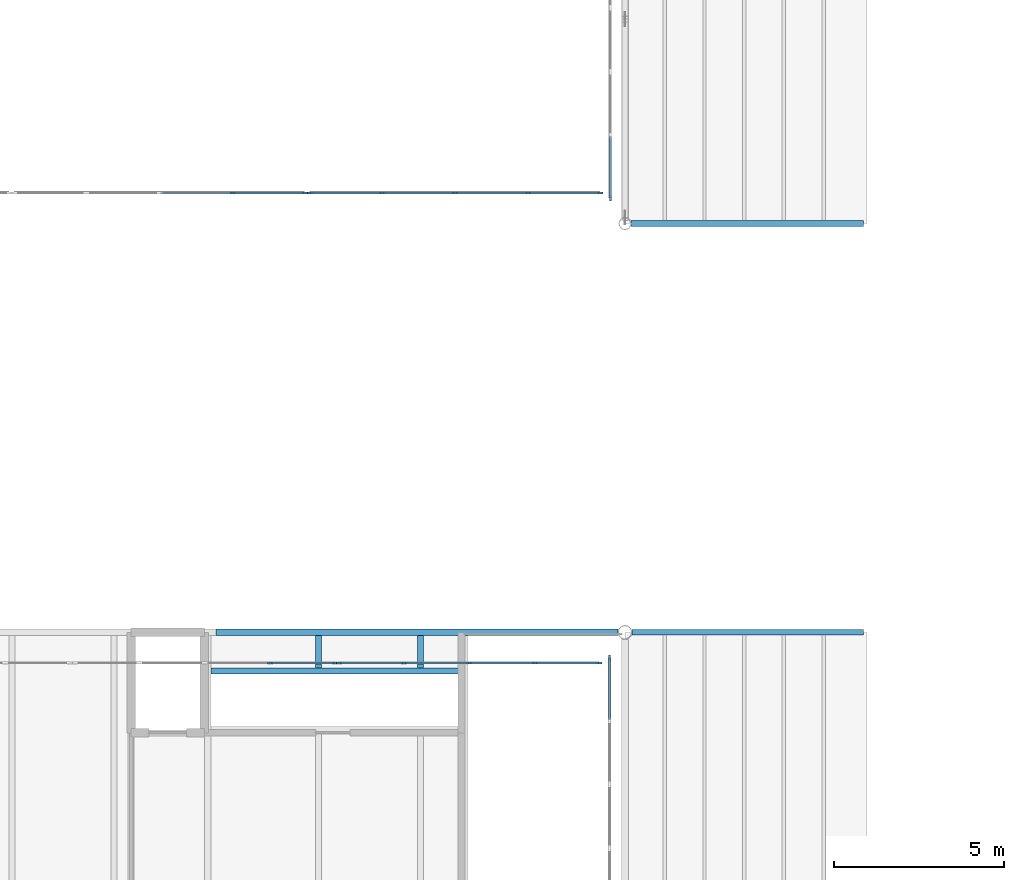
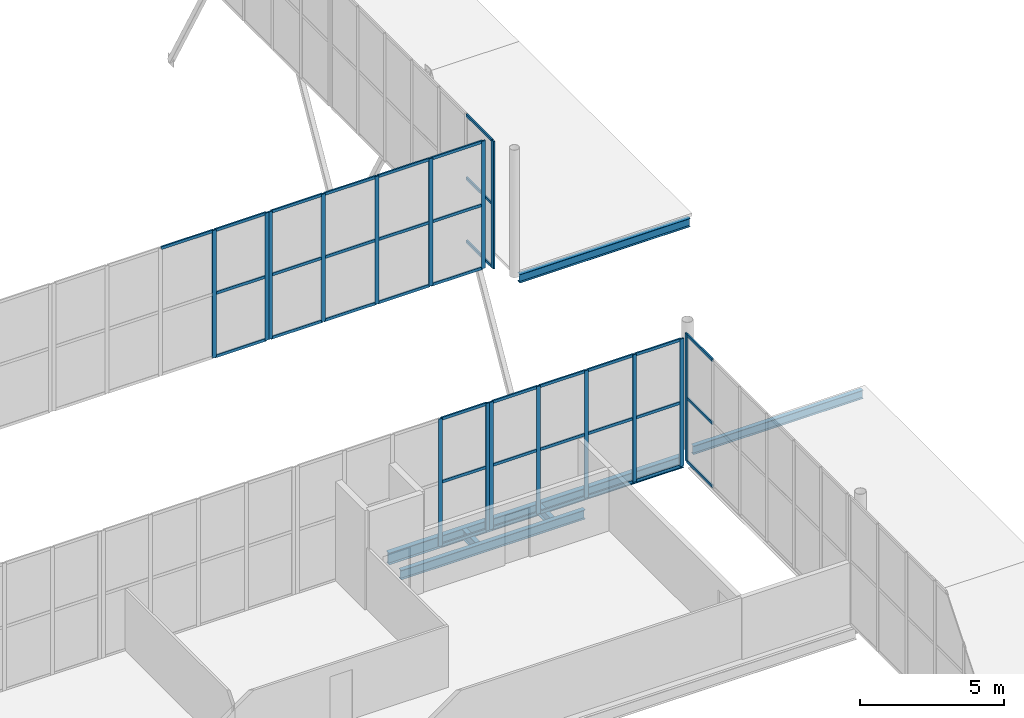
# One storey, part 60 of 170: 53 members, 6 beams, 6 elements without a shape of their own.
"""IFC4 building model written with IfcOpenShell, lengths in metres."""

from ifc_helpers import new_model, si_unit, direction, frame, origin, origin_2d, place, context, subcontext, project, spatial, rectangle, i_section, extrude, material, layer, layer_set, material_profile, profile_set, type_object, element, aggregate, save


model = new_model("IFC4")

# Units and contexts
model_context = context("Model", 3, precision=1e-05, world=origin(), true_north=direction((0.0, 1.0)))
body_context = subcontext(model_context, "Body", "Model", "MODEL_VIEW")
ifc_project = project(units=[si_unit("LENGTHUNIT", "METRE"), si_unit("AREAUNIT", "SQUARE_METRE"), si_unit("VOLUMEUNIT", "CUBIC_METRE"), si_unit("PLANEANGLEUNIT", "RADIAN"), si_unit("MASSUNIT", "GRAM", prefix="KILO")], contexts=[model_context])

# Site, building, storey
site_placement = place(None, origin())
site = spatial("IfcSite", under=ifc_project, at=site_placement, CompositionType="ELEMENT")
building_placement = place(site_placement, origin())
building = spatial("IfcBuilding", under=site, at=building_placement, Name="Ravi Spectrum Wholesale Market", CompositionType="ELEMENT")
storey_placement = place(building_placement, frame((0.0, 0.0, 5.39990234375)))
storey = spatial("IfcBuildingStorey", under=building, at=storey_placement, Name="L01", CompositionType="ELEMENT", Elevation=5.39990234375)

# Beams
ifc_material_1 = material(Name="Steel S355", Category="steel")
ifc_material_profile_1 = material_profile(ifc_material_1, i_section(OverallWidth=0.169921875, OverallDepth=0.360107421875, WebThickness=0.008056640625, FlangeThickness=0.0126953125, at=origin_2d()))
ifc_profile_set_1 = profile_set([ifc_material_profile_1], Name="Steel S355")
beam_type_1 = type_object("IfcBeamType", Name="IPE 360 beam", PredefinedType="BEAM", material=ifc_profile_set_1)
beam_1_placement = place(storey_placement, frame((198.203125, 126.0, -0.179931640625), z_axis=(1.0, 0.0, 0.0), x_axis=(0.0, 1.0, 0.0)))
element("IfcBeam", 1, at=beam_1_placement, inside=storey, type_object=beam_type_1, Name="H2-BM-L01-042", PredefinedType="BEAM", context=body_context, shape_type="SweptSolid", body=[
    extrude(i_section(OverallWidth=0.169921875, OverallDepth=0.360107421875, WebThickness=0.008056640625, FlangeThickness=0.0126953125, at=origin_2d()), origin(), (0.0, 0.0, 1.0), 6.796875),
])
beam_2_placement = place(storey_placement, frame((198.177734375, 138.0, -0.179931640625), z_axis=(1.0, 0.0, 0.0), x_axis=(0.0, 1.0, 0.0)))
element("IfcBeam", 2, at=beam_2_placement, inside=storey, type_object=beam_type_1, Name="H3-BM-L01-030", PredefinedType="BEAM", context=body_context, shape_type="SweptSolid", body=[
    extrude(i_section(OverallWidth=0.169921875, OverallDepth=0.360107421875, WebThickness=0.008056640625, FlangeThickness=0.0126953125, at=origin_2d()), origin(), (0.0, 0.0, 1.0), 6.822265625),
])
ifc_material_2 = material(Name="Steel S355", Category="steel")
ifc_material_profile_2 = material_profile(ifc_material_2, i_section(OverallWidth=0.179931640625, OverallDepth=0.39990234375, WebThickness=0.008544921875, FlangeThickness=0.013427734375, at=origin_2d()))
ifc_profile_set_2 = profile_set([ifc_material_profile_2], Name="Steel S355")
beam_type_2 = type_object("IfcBeamType", Name="IPE 400 beam", PredefinedType="BEAM", material=ifc_profile_set_2)
for number, where, z_axis, x_axis, name in (
    (3, (189.0, 124.9599609375, -0.449951171875), (0.0, 1.0, 0.0), (-1.0, 0.0, 0.0), "H2-BM-L01-024"),
    (4, (192.0, 124.9599609375, -0.449951171875), (0.0, 1.0, 0.0), (-1.0, 0.0, 0.0), "H2-BM-L01-026"),
):
    element("IfcBeam", number, at=place(storey_placement, frame(where, z_axis=z_axis, x_axis=x_axis)), inside=storey, type_object=beam_type_2, Name=name, PredefinedType="BEAM", context=body_context, shape_type="SweptSolid", body=[
        extrude(i_section(OverallWidth=0.179931640625, OverallDepth=0.39990234375, WebThickness=0.008544921875, FlangeThickness=0.013427734375, at=origin_2d()), origin(), (0.0, 0.0, 1.0), 0.93994140625),
    ])
beam_3_placement = place(storey_placement, frame((185.840087890625, 124.8701171875, -0.449951171875), z_axis=(1.0, 0.0, 0.0), x_axis=(0.0, 1.0, 0.0)))
element("IfcBeam", 5, at=beam_3_placement, inside=storey, type_object=beam_type_2, Name="H2-BM-L01-032", PredefinedType="BEAM", context=body_context, shape_type="SweptSolid", body=[
    extrude(i_section(OverallWidth=0.179931640625, OverallDepth=0.39990234375, WebThickness=0.008544921875, FlangeThickness=0.013427734375, at=origin_2d()), origin(), (0.0, 0.0, 1.0), 7.369873046875),
])
ifc_material_3 = material(Name="Steel S355", Category="steel")
ifc_material_profile_3 = material_profile(ifc_material_3, i_section(OverallWidth=0.199951171875, OverallDepth=0.5, WebThickness=0.01025390625, FlangeThickness=0.01611328125, at=origin_2d()))
ifc_profile_set_3 = profile_set([ifc_material_profile_3], Name="Steel S355")
beam_type_3 = type_object("IfcBeamType", Name="IPE 500 girder", PredefinedType="BEAM", material=ifc_profile_set_3)
beam_4_placement = place(storey_placement, frame((186.0, 126.0, -0.5), z_axis=(1.0, 0.0, 0.0), x_axis=(0.0, 1.0, 0.0)))
element("IfcBeam", 6, at=beam_4_placement, inside=storey, type_object=beam_type_3, Name="H2-BM-L01-008", PredefinedType="BEAM", context=body_context, shape_type="SweptSolid", body=[
    extrude(i_section(OverallWidth=0.199951171875, OverallDepth=0.5, WebThickness=0.01025390625, FlangeThickness=0.01611328125, at=origin_2d()), origin(), (0.0, 0.0, 1.0), 11.796875),
])

# Curtain wall, member
ifc_material_4 = material(Name="Aluminium 6063-T6", Category="aluminium")
ifc_layer = layer(ifc_material_4, 0.14990234375)
ifc_layer_set = layer_set([ifc_layer], Name="Aluminium 6063-T6")
curtain_wall_type = type_object("IfcCurtainWallType", Name="Curtain wall 150", PredefinedType="NOTDEFINED", material=ifc_layer_set)
curtain_wall_1_placement = place(storey_placement, origin())
curtain_wall_1 = element("IfcCurtainWall", 7, at=curtain_wall_1_placement, inside=storey, type_object=curtain_wall_type, Name="H2-CW-L01-008", PredefinedType="NOTDEFINED")
ifc_material_5 = material(Name="Aluminium 6063-T6", Category="aluminium")
ifc_material_profile_4 = material_profile(ifc_material_5, rectangle(XDim=0.06005859375, YDim=0.159912109375, at=origin_2d()))
ifc_profile_set_4 = profile_set([ifc_material_profile_4], Name="Aluminium 6063-T6")
member_type_1 = type_object("IfcMemberType", Name="Mullion 60 x 160", PredefinedType="MULLION", material=ifc_profile_set_4)
member_1_placement = place(storey_placement, frame((197.546875, 125.260009765625, 0.0), z_axis=(0.0, 0.0, 1.0), x_axis=(-1.0, 0.0, 0.0)))
member_1 = element("IfcMember", 8, at=member_1_placement, type_object=member_type_1, Name="H2-CW-L01-008 mullion 7", PredefinedType="MULLION", context=body_context, shape_type="SweptSolid", body=[
    extrude(rectangle(XDim=0.06005859375, YDim=0.159912109375, at=origin_2d()), origin(), (0.0, 0.0, 1.0), 5.400146484375),
])

# Curtain wall, members
curtain_wall_2_placement = place(storey_placement, origin())
curtain_wall_2 = element("IfcCurtainWall", 9, at=curtain_wall_2_placement, inside=storey, type_object=curtain_wall_type, Name="H2-CW-L01-019", PredefinedType="NOTDEFINED")
member_2_placement = place(storey_placement, frame((187.58154296875, 125.10009765625, 0.0), z_axis=(0.0, 0.0, 1.0), x_axis=(0.0, 1.0, 0.0)))
member_2 = element("IfcMember", 10, at=member_2_placement, type_object=member_type_1, Name="H2-CW-L01-019 mullion 4", PredefinedType="MULLION", context=body_context, shape_type="SweptSolid", body=[
    extrude(rectangle(XDim=0.06005859375, YDim=0.159912109375, at=origin_2d()), origin(), (0.0, 0.0, 1.0), 5.400146484375),
])
member_3_placement = place(storey_placement, frame((189.474609375, 125.10009765625, 0.0), z_axis=(0.0, 0.0, 1.0), x_axis=(0.0, 1.0, 0.0)))
member_3 = element("IfcMember", 11, at=member_3_placement, type_object=member_type_1, Name="H2-CW-L01-019 mullion 5", PredefinedType="MULLION", context=body_context, shape_type="SweptSolid", body=[
    extrude(rectangle(XDim=0.06005859375, YDim=0.159912109375, at=origin_2d()), origin(), (0.0, 0.0, 1.0), 5.400146484375),
])

curtain_wall_3_placement = place(storey_placement, origin())
curtain_wall_3 = element("IfcCurtainWall", 12, at=curtain_wall_3_placement, inside=storey, type_object=curtain_wall_type, Name="H2-CW-L01-020", PredefinedType="NOTDEFINED")
member_4_placement = place(storey_placement, frame((189.614501953125, 125.10009765625, 0.0), z_axis=(0.0, 0.0, 1.0), x_axis=(0.0, 1.0, 0.0)))
member_4 = element("IfcMember", 13, at=member_4_placement, type_object=member_type_1, Name="H2-CW-L01-020 mullion 1", PredefinedType="MULLION", context=body_context, shape_type="SweptSolid", body=[
    extrude(rectangle(XDim=0.06005859375, YDim=0.159912109375, at=origin_2d()), origin(), (0.0, 0.0, 1.0), 5.400146484375),
])
member_5_placement = place(storey_placement, frame((191.507568359375, 125.10009765625, 0.0), z_axis=(0.0, 0.0, 1.0), x_axis=(0.0, 1.0, 0.0)))
member_5 = element("IfcMember", 14, at=member_5_placement, type_object=member_type_1, Name="H2-CW-L01-020 mullion 2", PredefinedType="MULLION", context=body_context, shape_type="SweptSolid", body=[
    extrude(rectangle(XDim=0.06005859375, YDim=0.159912109375, at=origin_2d()), origin(), (0.0, 0.0, 1.0), 5.400146484375),
])
member_6_placement = place(storey_placement, frame((193.4306640625, 125.10009765625, 0.0), z_axis=(0.0, 0.0, 1.0), x_axis=(0.0, 1.0, 0.0)))
member_6 = element("IfcMember", 15, at=member_6_placement, type_object=member_type_1, Name="H2-CW-L01-020 mullion 3", PredefinedType="MULLION", context=body_context, shape_type="SweptSolid", body=[
    extrude(rectangle(XDim=0.06005859375, YDim=0.159912109375, at=origin_2d()), origin(), (0.0, 0.0, 1.0), 5.400146484375),
])
member_7_placement = place(storey_placement, frame((195.353759765625, 125.10009765625, 0.0), z_axis=(0.0, 0.0, 1.0), x_axis=(0.0, 1.0, 0.0)))
member_7 = element("IfcMember", 16, at=member_7_placement, type_object=member_type_1, Name="H2-CW-L01-020 mullion 4", PredefinedType="MULLION", context=body_context, shape_type="SweptSolid", body=[
    extrude(rectangle(XDim=0.06005859375, YDim=0.159912109375, at=origin_2d()), origin(), (0.0, 0.0, 1.0), 5.400146484375),
])
member_8_placement = place(storey_placement, frame((197.246826171875, 125.10009765625, 0.0), z_axis=(0.0, 0.0, 1.0), x_axis=(0.0, 1.0, 0.0)))
member_8 = element("IfcMember", 17, at=member_8_placement, type_object=member_type_1, Name="H2-CW-L01-020 mullion 5", PredefinedType="MULLION", context=body_context, shape_type="SweptSolid", body=[
    extrude(rectangle(XDim=0.06005859375, YDim=0.159912109375, at=origin_2d()), origin(), (0.0, 0.0, 1.0), 5.400146484375),
])

# Curtain wall, member
curtain_wall_4_placement = place(storey_placement, origin())
curtain_wall_4 = element("IfcCurtainWall", 18, at=curtain_wall_4_placement, inside=storey, type_object=curtain_wall_type, Name="H3-CW-L01-005", PredefinedType="NOTDEFINED")
member_9_placement = place(storey_placement, frame((197.572265625, 138.739990234375, 0.0), z_axis=(0.0, 0.0, 1.0), x_axis=(-1.0, 0.0, 0.0)))
member_9 = element("IfcMember", 19, at=member_9_placement, type_object=member_type_1, Name="H3-CW-L01-005 mullion 1", PredefinedType="MULLION", context=body_context, shape_type="SweptSolid", body=[
    extrude(rectangle(XDim=0.06005859375, YDim=0.159912109375, at=origin_2d()), origin(), (0.0, 0.0, 1.0), 5.400146484375),
])

# Curtain wall, members
curtain_wall_5_placement = place(storey_placement, origin())
curtain_wall_5 = element("IfcCurtainWall", 20, at=curtain_wall_5_placement, inside=storey, type_object=curtain_wall_type, Name="H3-CW-L01-011", PredefinedType="NOTDEFINED")
member_10_placement = place(storey_placement, frame((186.4833984375, 138.89990234375, 0.0), z_axis=(0.0, 0.0, 1.0), x_axis=(0.0, 1.0, 0.0)))
member_10 = element("IfcMember", 21, at=member_10_placement, type_object=member_type_1, Name="H3-CW-L01-011 mullion 4", PredefinedType="MULLION", context=body_context, shape_type="SweptSolid", body=[
    extrude(rectangle(XDim=0.06005859375, YDim=0.159912109375, at=origin_2d()), origin(), (0.0, 0.0, 1.0), 5.400146484375),
])
member_11_placement = place(storey_placement, frame((188.60107421875, 138.89990234375, 0.0), z_axis=(0.0, 0.0, 1.0), x_axis=(0.0, 1.0, 0.0)))
member_11 = element("IfcMember", 22, at=member_11_placement, type_object=member_type_1, Name="H3-CW-L01-011 mullion 5", PredefinedType="MULLION", context=body_context, shape_type="SweptSolid", body=[
    extrude(rectangle(XDim=0.06005859375, YDim=0.159912109375, at=origin_2d()), origin(), (0.0, 0.0, 1.0), 5.400146484375),
])

curtain_wall_6_placement = place(storey_placement, origin())
curtain_wall_6 = element("IfcCurtainWall", 23, at=curtain_wall_6_placement, inside=storey, type_object=curtain_wall_type, Name="H3-CW-L01-012", PredefinedType="NOTDEFINED")
member_12_placement = place(storey_placement, frame((188.7412109375, 138.89990234375, 0.0), z_axis=(0.0, 0.0, 1.0), x_axis=(0.0, 1.0, 0.0)))
member_12 = element("IfcMember", 24, at=member_12_placement, type_object=member_type_1, Name="H3-CW-L01-012 mullion 1", PredefinedType="MULLION", context=body_context, shape_type="SweptSolid", body=[
    extrude(rectangle(XDim=0.06005859375, YDim=0.159912109375, at=origin_2d()), origin(), (0.0, 0.0, 1.0), 5.400146484375),
])
member_13_placement = place(storey_placement, frame((190.85888671875, 138.89990234375, 0.0), z_axis=(0.0, 0.0, 1.0), x_axis=(0.0, 1.0, 0.0)))
member_13 = element("IfcMember", 25, at=member_13_placement, type_object=member_type_1, Name="H3-CW-L01-012 mullion 2", PredefinedType="MULLION", context=body_context, shape_type="SweptSolid", body=[
    extrude(rectangle(XDim=0.06005859375, YDim=0.159912109375, at=origin_2d()), origin(), (0.0, 0.0, 1.0), 5.400146484375),
])
member_14_placement = place(storey_placement, frame((193.006591796875, 138.89990234375, 0.0), z_axis=(0.0, 0.0, 1.0), x_axis=(0.0, 1.0, 0.0)))
member_14 = element("IfcMember", 26, at=member_14_placement, type_object=member_type_1, Name="H3-CW-L01-012 mullion 3", PredefinedType="MULLION", context=body_context, shape_type="SweptSolid", body=[
    extrude(rectangle(XDim=0.06005859375, YDim=0.159912109375, at=origin_2d()), origin(), (0.0, 0.0, 1.0), 5.400146484375),
])
member_15_placement = place(storey_placement, frame((195.154541015625, 138.89990234375, 0.0), z_axis=(0.0, 0.0, 1.0), x_axis=(0.0, 1.0, 0.0)))
member_15 = element("IfcMember", 27, at=member_15_placement, type_object=member_type_1, Name="H3-CW-L01-012 mullion 4", PredefinedType="MULLION", context=body_context, shape_type="SweptSolid", body=[
    extrude(rectangle(XDim=0.06005859375, YDim=0.159912109375, at=origin_2d()), origin(), (0.0, 0.0, 1.0), 5.400146484375),
])
member_16_placement = place(storey_placement, frame((197.272216796875, 138.89990234375, 0.0), z_axis=(0.0, 0.0, 1.0), x_axis=(0.0, 1.0, 0.0)))
member_16 = element("IfcMember", 28, at=member_16_placement, type_object=member_type_1, Name="H3-CW-L01-012 mullion 5", PredefinedType="MULLION", context=body_context, shape_type="SweptSolid", body=[
    extrude(rectangle(XDim=0.06005859375, YDim=0.159912109375, at=origin_2d()), origin(), (0.0, 0.0, 1.0), 5.400146484375),
])

# Member
ifc_material_6 = material(Name="Aluminium 6063-T6", Category="aluminium")
ifc_material_profile_5 = material_profile(ifc_material_6, rectangle(XDim=0.06005859375, YDim=0.1201171875, at=origin_2d()))
ifc_profile_set_5 = profile_set([ifc_material_profile_5], Name="Aluminium 6063-T6")
member_type_2 = type_object("IfcMemberType", Name="Transom 60 x 120", PredefinedType="USERDEFINED", material=ifc_profile_set_5)
member_17_placement = place(storey_placement, frame((197.546875, 123.445068359375, 0.030029296875), z_axis=(0.0, 1.0, 0.0), x_axis=(-1.0, 0.0, 0.0)))
member_17 = element("IfcMember", 29, at=member_17_placement, type_object=member_type_2, Name="H2-CW-L01-008 transom 6.1", ObjectType="TRANSOM", PredefinedType="USERDEFINED", context=body_context, shape_type="SweptSolid", body=[
    extrude(rectangle(XDim=0.06005859375, YDim=0.1201171875, at=origin_2d()), origin(), (0.0, 0.0, 1.0), 1.784912109375),
])

member_18_placement = place(storey_placement, frame((197.546875, 123.445068359375, 2.7001953125), z_axis=(0.0, 1.0, 0.0), x_axis=(-1.0, 0.0, 0.0)))
member_18 = element("IfcMember", 30, at=member_18_placement, type_object=member_type_2, Name="H2-CW-L01-008 transom 6.2", ObjectType="TRANSOM", PredefinedType="USERDEFINED", context=body_context, shape_type="SweptSolid", body=[
    extrude(rectangle(XDim=0.06005859375, YDim=0.1201171875, at=origin_2d()), origin(), (0.0, 0.0, 1.0), 1.784912109375),
])

member_19_placement = place(storey_placement, frame((197.546875, 123.445068359375, 5.3701171875), z_axis=(0.0, 1.0, 0.0), x_axis=(-1.0, 0.0, 0.0)))
member_19 = element("IfcMember", 31, at=member_19_placement, type_object=member_type_2, Name="H2-CW-L01-008 transom 6.3", ObjectType="TRANSOM", PredefinedType="USERDEFINED", context=body_context, shape_type="SweptSolid", body=[
    extrude(rectangle(XDim=0.06005859375, YDim=0.1201171875, at=origin_2d()), origin(), (0.0, 0.0, 1.0), 1.784912109375),
])

aggregate(curtain_wall_1, [member_1, member_17, member_18, member_19])

member_20_placement = place(storey_placement, frame((187.611572265625, 125.10009765625, 0.030029296875), z_axis=(1.0, 0.0, 0.0), x_axis=(0.0, 1.0, 0.0)))
member_20 = element("IfcMember", 32, at=member_20_placement, type_object=member_type_2, Name="H2-CW-L01-019 transom 4.1", ObjectType="TRANSOM", PredefinedType="USERDEFINED", context=body_context, shape_type="SweptSolid", body=[
    extrude(rectangle(XDim=0.06005859375, YDim=0.1201171875, at=origin_2d()), origin(), (0.0, 0.0, 1.0), 1.8330078125),
])

member_21_placement = place(storey_placement, frame((187.611572265625, 125.10009765625, 2.7001953125), z_axis=(1.0, 0.0, 0.0), x_axis=(0.0, 1.0, 0.0)))
member_21 = element("IfcMember", 33, at=member_21_placement, type_object=member_type_2, Name="H2-CW-L01-019 transom 4.2", ObjectType="TRANSOM", PredefinedType="USERDEFINED", context=body_context, shape_type="SweptSolid", body=[
    extrude(rectangle(XDim=0.06005859375, YDim=0.1201171875, at=origin_2d()), origin(), (0.0, 0.0, 1.0), 1.8330078125),
])

member_22_placement = place(storey_placement, frame((187.611572265625, 125.10009765625, 5.3701171875), z_axis=(1.0, 0.0, 0.0), x_axis=(0.0, 1.0, 0.0)))
member_22 = element("IfcMember", 34, at=member_22_placement, type_object=member_type_2, Name="H2-CW-L01-019 transom 4.3", ObjectType="TRANSOM", PredefinedType="USERDEFINED", context=body_context, shape_type="SweptSolid", body=[
    extrude(rectangle(XDim=0.06005859375, YDim=0.1201171875, at=origin_2d()), origin(), (0.0, 0.0, 1.0), 1.8330078125),
])

aggregate(curtain_wall_2, [member_2, member_3, member_20, member_21, member_22])

member_23_placement = place(storey_placement, frame((189.64453125, 125.10009765625, 0.030029296875), z_axis=(1.0, 0.0, 0.0), x_axis=(0.0, 1.0, 0.0)))
member_23 = element("IfcMember", 35, at=member_23_placement, type_object=member_type_2, Name="H2-CW-L01-020 transom 1.1", ObjectType="TRANSOM", PredefinedType="USERDEFINED", context=body_context, shape_type="SweptSolid", body=[
    extrude(rectangle(XDim=0.06005859375, YDim=0.1201171875, at=origin_2d()), origin(), (0.0, 0.0, 1.0), 1.8330078125),
])

member_24_placement = place(storey_placement, frame((189.64453125, 125.10009765625, 2.7001953125), z_axis=(1.0, 0.0, 0.0), x_axis=(0.0, 1.0, 0.0)))
member_24 = element("IfcMember", 36, at=member_24_placement, type_object=member_type_2, Name="H2-CW-L01-020 transom 1.2", ObjectType="TRANSOM", PredefinedType="USERDEFINED", context=body_context, shape_type="SweptSolid", body=[
    extrude(rectangle(XDim=0.06005859375, YDim=0.1201171875, at=origin_2d()), origin(), (0.0, 0.0, 1.0), 1.8330078125),
])

member_25_placement = place(storey_placement, frame((189.64453125, 125.10009765625, 5.3701171875), z_axis=(1.0, 0.0, 0.0), x_axis=(0.0, 1.0, 0.0)))
member_25 = element("IfcMember", 37, at=member_25_placement, type_object=member_type_2, Name="H2-CW-L01-020 transom 1.3", ObjectType="TRANSOM", PredefinedType="USERDEFINED", context=body_context, shape_type="SweptSolid", body=[
    extrude(rectangle(XDim=0.06005859375, YDim=0.1201171875, at=origin_2d()), origin(), (0.0, 0.0, 1.0), 1.8330078125),
])

member_26_placement = place(storey_placement, frame((191.53759765625, 125.10009765625, 0.030029296875), z_axis=(1.0, 0.0, 0.0), x_axis=(0.0, 1.0, 0.0)))
member_26 = element("IfcMember", 38, at=member_26_placement, type_object=member_type_2, Name="H2-CW-L01-020 transom 2.1", ObjectType="TRANSOM", PredefinedType="USERDEFINED", context=body_context, shape_type="SweptSolid", body=[
    extrude(rectangle(XDim=0.06005859375, YDim=0.1201171875, at=origin_2d()), origin(), (0.0, 0.0, 1.0), 1.863037109375),
])

member_27_placement = place(storey_placement, frame((191.53759765625, 125.10009765625, 2.7001953125), z_axis=(1.0, 0.0, 0.0), x_axis=(0.0, 1.0, 0.0)))
member_27 = element("IfcMember", 39, at=member_27_placement, type_object=member_type_2, Name="H2-CW-L01-020 transom 2.2", ObjectType="TRANSOM", PredefinedType="USERDEFINED", context=body_context, shape_type="SweptSolid", body=[
    extrude(rectangle(XDim=0.06005859375, YDim=0.1201171875, at=origin_2d()), origin(), (0.0, 0.0, 1.0), 1.863037109375),
])

member_28_placement = place(storey_placement, frame((191.53759765625, 125.10009765625, 5.3701171875), z_axis=(1.0, 0.0, 0.0), x_axis=(0.0, 1.0, 0.0)))
member_28 = element("IfcMember", 40, at=member_28_placement, type_object=member_type_2, Name="H2-CW-L01-020 transom 2.3", ObjectType="TRANSOM", PredefinedType="USERDEFINED", context=body_context, shape_type="SweptSolid", body=[
    extrude(rectangle(XDim=0.06005859375, YDim=0.1201171875, at=origin_2d()), origin(), (0.0, 0.0, 1.0), 1.863037109375),
])

member_29_placement = place(storey_placement, frame((193.460693359375, 125.10009765625, 0.030029296875), z_axis=(1.0, 0.0, 0.0), x_axis=(0.0, 1.0, 0.0)))
member_29 = element("IfcMember", 41, at=member_29_placement, type_object=member_type_2, Name="H2-CW-L01-020 transom 3.1", ObjectType="TRANSOM", PredefinedType="USERDEFINED", context=body_context, shape_type="SweptSolid", body=[
    extrude(rectangle(XDim=0.06005859375, YDim=0.1201171875, at=origin_2d()), origin(), (0.0, 0.0, 1.0), 1.863037109375),
])

member_30_placement = place(storey_placement, frame((193.460693359375, 125.10009765625, 2.7001953125), z_axis=(1.0, 0.0, 0.0), x_axis=(0.0, 1.0, 0.0)))
member_30 = element("IfcMember", 42, at=member_30_placement, type_object=member_type_2, Name="H2-CW-L01-020 transom 3.2", ObjectType="TRANSOM", PredefinedType="USERDEFINED", context=body_context, shape_type="SweptSolid", body=[
    extrude(rectangle(XDim=0.06005859375, YDim=0.1201171875, at=origin_2d()), origin(), (0.0, 0.0, 1.0), 1.863037109375),
])

member_31_placement = place(storey_placement, frame((193.460693359375, 125.10009765625, 5.3701171875), z_axis=(1.0, 0.0, 0.0), x_axis=(0.0, 1.0, 0.0)))
member_31 = element("IfcMember", 43, at=member_31_placement, type_object=member_type_2, Name="H2-CW-L01-020 transom 3.3", ObjectType="TRANSOM", PredefinedType="USERDEFINED", context=body_context, shape_type="SweptSolid", body=[
    extrude(rectangle(XDim=0.06005859375, YDim=0.1201171875, at=origin_2d()), origin(), (0.0, 0.0, 1.0), 1.863037109375),
])

member_32_placement = place(storey_placement, frame((195.3837890625, 125.10009765625, 0.030029296875), z_axis=(1.0, 0.0, 0.0), x_axis=(0.0, 1.0, 0.0)))
member_32 = element("IfcMember", 44, at=member_32_placement, type_object=member_type_2, Name="H2-CW-L01-020 transom 4.1", ObjectType="TRANSOM", PredefinedType="USERDEFINED", context=body_context, shape_type="SweptSolid", body=[
    extrude(rectangle(XDim=0.06005859375, YDim=0.1201171875, at=origin_2d()), origin(), (0.0, 0.0, 1.0), 1.8330078125),
])

member_33_placement = place(storey_placement, frame((195.3837890625, 125.10009765625, 2.7001953125), z_axis=(1.0, 0.0, 0.0), x_axis=(0.0, 1.0, 0.0)))
member_33 = element("IfcMember", 45, at=member_33_placement, type_object=member_type_2, Name="H2-CW-L01-020 transom 4.2", ObjectType="TRANSOM", PredefinedType="USERDEFINED", context=body_context, shape_type="SweptSolid", body=[
    extrude(rectangle(XDim=0.06005859375, YDim=0.1201171875, at=origin_2d()), origin(), (0.0, 0.0, 1.0), 1.8330078125),
])

member_34_placement = place(storey_placement, frame((195.3837890625, 125.10009765625, 5.3701171875), z_axis=(1.0, 0.0, 0.0), x_axis=(0.0, 1.0, 0.0)))
member_34 = element("IfcMember", 46, at=member_34_placement, type_object=member_type_2, Name="H2-CW-L01-020 transom 4.3", ObjectType="TRANSOM", PredefinedType="USERDEFINED", context=body_context, shape_type="SweptSolid", body=[
    extrude(rectangle(XDim=0.06005859375, YDim=0.1201171875, at=origin_2d()), origin(), (0.0, 0.0, 1.0), 1.8330078125),
])

aggregate(curtain_wall_3, [member_4, member_5, member_6, member_7, member_8, member_23, member_24, member_25, member_26, member_27, member_28, member_29, member_30, member_31, member_32, member_33, member_34])

member_35_placement = place(storey_placement, frame((197.572265625, 138.77001953125, 0.030029296875), z_axis=(0.0, 1.0, 0.0), x_axis=(-1.0, 0.0, 0.0)))
member_35 = element("IfcMember", 47, at=member_35_placement, type_object=member_type_2, Name="H3-CW-L01-005 transom 1.1", ObjectType="TRANSOM", PredefinedType="USERDEFINED", context=body_context, shape_type="SweptSolid", body=[
    extrude(rectangle(XDim=0.06005859375, YDim=0.1201171875, at=origin_2d()), origin(), (0.0, 0.0, 1.0), 1.784912109375),
])

member_36_placement = place(storey_placement, frame((197.572265625, 138.77001953125, 2.7001953125), z_axis=(0.0, 1.0, 0.0), x_axis=(-1.0, 0.0, 0.0)))
member_36 = element("IfcMember", 48, at=member_36_placement, type_object=member_type_2, Name="H3-CW-L01-005 transom 1.2", ObjectType="TRANSOM", PredefinedType="USERDEFINED", context=body_context, shape_type="SweptSolid", body=[
    extrude(rectangle(XDim=0.06005859375, YDim=0.1201171875, at=origin_2d()), origin(), (0.0, 0.0, 1.0), 1.784912109375),
])

member_37_placement = place(storey_placement, frame((197.572265625, 138.77001953125, 5.3701171875), z_axis=(0.0, 1.0, 0.0), x_axis=(-1.0, 0.0, 0.0)))
member_37 = element("IfcMember", 49, at=member_37_placement, type_object=member_type_2, Name="H3-CW-L01-005 transom 1.3", ObjectType="TRANSOM", PredefinedType="USERDEFINED", context=body_context, shape_type="SweptSolid", body=[
    extrude(rectangle(XDim=0.06005859375, YDim=0.1201171875, at=origin_2d()), origin(), (0.0, 0.0, 1.0), 1.784912109375),
])

aggregate(curtain_wall_4, [member_9, member_35, member_36, member_37])

member_38_placement = place(storey_placement, frame((184.365478515625, 138.89990234375, 5.3701171875), z_axis=(1.0, 0.0, 0.0), x_axis=(0.0, 1.0, 0.0)))
member_38 = element("IfcMember", 50, at=member_38_placement, type_object=member_type_2, Name="H3-CW-L01-011 transom 3.3", ObjectType="TRANSOM", PredefinedType="USERDEFINED", context=body_context, shape_type="SweptSolid", body=[
    extrude(rectangle(XDim=0.06005859375, YDim=0.1201171875, at=origin_2d()), origin(), (0.0, 0.0, 1.0), 2.087890625),
])

member_39_placement = place(storey_placement, frame((186.513427734375, 138.89990234375, 0.030029296875), z_axis=(1.0, 0.0, 0.0), x_axis=(0.0, 1.0, 0.0)))
member_39 = element("IfcMember", 51, at=member_39_placement, type_object=member_type_2, Name="H3-CW-L01-011 transom 4.1", ObjectType="TRANSOM", PredefinedType="USERDEFINED", context=body_context, shape_type="SweptSolid", body=[
    extrude(rectangle(XDim=0.06005859375, YDim=0.1201171875, at=origin_2d()), origin(), (0.0, 0.0, 1.0), 2.0576171875),
])

member_40_placement = place(storey_placement, frame((186.513427734375, 138.89990234375, 2.7001953125), z_axis=(1.0, 0.0, 0.0), x_axis=(0.0, 1.0, 0.0)))
member_40 = element("IfcMember", 52, at=member_40_placement, type_object=member_type_2, Name="H3-CW-L01-011 transom 4.2", ObjectType="TRANSOM", PredefinedType="USERDEFINED", context=body_context, shape_type="SweptSolid", body=[
    extrude(rectangle(XDim=0.06005859375, YDim=0.1201171875, at=origin_2d()), origin(), (0.0, 0.0, 1.0), 2.0576171875),
])

member_41_placement = place(storey_placement, frame((186.513427734375, 138.89990234375, 5.3701171875), z_axis=(1.0, 0.0, 0.0), x_axis=(0.0, 1.0, 0.0)))
member_41 = element("IfcMember", 53, at=member_41_placement, type_object=member_type_2, Name="H3-CW-L01-011 transom 4.3", ObjectType="TRANSOM", PredefinedType="USERDEFINED", context=body_context, shape_type="SweptSolid", body=[
    extrude(rectangle(XDim=0.06005859375, YDim=0.1201171875, at=origin_2d()), origin(), (0.0, 0.0, 1.0), 2.0576171875),
])

aggregate(curtain_wall_5, [member_10, member_11, member_38, member_39, member_40, member_41])

member_42_placement = place(storey_placement, frame((188.77099609375, 138.89990234375, 0.030029296875), z_axis=(1.0, 0.0, 0.0), x_axis=(0.0, 1.0, 0.0)))
member_42 = element("IfcMember", 54, at=member_42_placement, type_object=member_type_2, Name="H3-CW-L01-012 transom 1.1", ObjectType="TRANSOM", PredefinedType="USERDEFINED", context=body_context, shape_type="SweptSolid", body=[
    extrude(rectangle(XDim=0.06005859375, YDim=0.1201171875, at=origin_2d()), origin(), (0.0, 0.0, 1.0), 2.057861328125),
])

member_43_placement = place(storey_placement, frame((188.77099609375, 138.89990234375, 2.7001953125), z_axis=(1.0, 0.0, 0.0), x_axis=(0.0, 1.0, 0.0)))
member_43 = element("IfcMember", 55, at=member_43_placement, type_object=member_type_2, Name="H3-CW-L01-012 transom 1.2", ObjectType="TRANSOM", PredefinedType="USERDEFINED", context=body_context, shape_type="SweptSolid", body=[
    extrude(rectangle(XDim=0.06005859375, YDim=0.1201171875, at=origin_2d()), origin(), (0.0, 0.0, 1.0), 2.057861328125),
])

member_44_placement = place(storey_placement, frame((188.77099609375, 138.89990234375, 5.3701171875), z_axis=(1.0, 0.0, 0.0), x_axis=(0.0, 1.0, 0.0)))
member_44 = element("IfcMember", 56, at=member_44_placement, type_object=member_type_2, Name="H3-CW-L01-012 transom 1.3", ObjectType="TRANSOM", PredefinedType="USERDEFINED", context=body_context, shape_type="SweptSolid", body=[
    extrude(rectangle(XDim=0.06005859375, YDim=0.1201171875, at=origin_2d()), origin(), (0.0, 0.0, 1.0), 2.057861328125),
])

member_45_placement = place(storey_placement, frame((190.888916015625, 138.89990234375, 0.030029296875), z_axis=(1.0, 0.0, 0.0), x_axis=(0.0, 1.0, 0.0)))
member_45 = element("IfcMember", 57, at=member_45_placement, type_object=member_type_2, Name="H3-CW-L01-012 transom 2.1", ObjectType="TRANSOM", PredefinedType="USERDEFINED", context=body_context, shape_type="SweptSolid", body=[
    extrude(rectangle(XDim=0.06005859375, YDim=0.1201171875, at=origin_2d()), origin(), (0.0, 0.0, 1.0), 2.087646484375),
])

member_46_placement = place(storey_placement, frame((190.888916015625, 138.89990234375, 2.7001953125), z_axis=(1.0, 0.0, 0.0), x_axis=(0.0, 1.0, 0.0)))
member_46 = element("IfcMember", 58, at=member_46_placement, type_object=member_type_2, Name="H3-CW-L01-012 transom 2.2", ObjectType="TRANSOM", PredefinedType="USERDEFINED", context=body_context, shape_type="SweptSolid", body=[
    extrude(rectangle(XDim=0.06005859375, YDim=0.1201171875, at=origin_2d()), origin(), (0.0, 0.0, 1.0), 2.087646484375),
])

member_47_placement = place(storey_placement, frame((190.888916015625, 138.89990234375, 5.3701171875), z_axis=(1.0, 0.0, 0.0), x_axis=(0.0, 1.0, 0.0)))
member_47 = element("IfcMember", 59, at=member_47_placement, type_object=member_type_2, Name="H3-CW-L01-012 transom 2.3", ObjectType="TRANSOM", PredefinedType="USERDEFINED", context=body_context, shape_type="SweptSolid", body=[
    extrude(rectangle(XDim=0.06005859375, YDim=0.1201171875, at=origin_2d()), origin(), (0.0, 0.0, 1.0), 2.087646484375),
])

member_48_placement = place(storey_placement, frame((193.03662109375, 138.89990234375, 0.030029296875), z_axis=(1.0, 0.0, 0.0), x_axis=(0.0, 1.0, 0.0)))
member_48 = element("IfcMember", 60, at=member_48_placement, type_object=member_type_2, Name="H3-CW-L01-012 transom 3.1", ObjectType="TRANSOM", PredefinedType="USERDEFINED", context=body_context, shape_type="SweptSolid", body=[
    extrude(rectangle(XDim=0.06005859375, YDim=0.1201171875, at=origin_2d()), origin(), (0.0, 0.0, 1.0), 2.087890625),
])

member_49_placement = place(storey_placement, frame((193.03662109375, 138.89990234375, 2.7001953125), z_axis=(1.0, 0.0, 0.0), x_axis=(0.0, 1.0, 0.0)))
member_49 = element("IfcMember", 61, at=member_49_placement, type_object=member_type_2, Name="H3-CW-L01-012 transom 3.2", ObjectType="TRANSOM", PredefinedType="USERDEFINED", context=body_context, shape_type="SweptSolid", body=[
    extrude(rectangle(XDim=0.06005859375, YDim=0.1201171875, at=origin_2d()), origin(), (0.0, 0.0, 1.0), 2.087890625),
])

member_50_placement = place(storey_placement, frame((193.03662109375, 138.89990234375, 5.3701171875), z_axis=(1.0, 0.0, 0.0), x_axis=(0.0, 1.0, 0.0)))
member_50 = element("IfcMember", 62, at=member_50_placement, type_object=member_type_2, Name="H3-CW-L01-012 transom 3.3", ObjectType="TRANSOM", PredefinedType="USERDEFINED", context=body_context, shape_type="SweptSolid", body=[
    extrude(rectangle(XDim=0.06005859375, YDim=0.1201171875, at=origin_2d()), origin(), (0.0, 0.0, 1.0), 2.087890625),
])

member_51_placement = place(storey_placement, frame((195.184326171875, 138.89990234375, 0.030029296875), z_axis=(1.0, 0.0, 0.0), x_axis=(0.0, 1.0, 0.0)))
member_51 = element("IfcMember", 63, at=member_51_placement, type_object=member_type_2, Name="H3-CW-L01-012 transom 4.1", ObjectType="TRANSOM", PredefinedType="USERDEFINED", context=body_context, shape_type="SweptSolid", body=[
    extrude(rectangle(XDim=0.06005859375, YDim=0.1201171875, at=origin_2d()), origin(), (0.0, 0.0, 1.0), 2.057861328125),
])

member_52_placement = place(storey_placement, frame((195.184326171875, 138.89990234375, 2.7001953125), z_axis=(1.0, 0.0, 0.0), x_axis=(0.0, 1.0, 0.0)))
member_52 = element("IfcMember", 64, at=member_52_placement, type_object=member_type_2, Name="H3-CW-L01-012 transom 4.2", ObjectType="TRANSOM", PredefinedType="USERDEFINED", context=body_context, shape_type="SweptSolid", body=[
    extrude(rectangle(XDim=0.06005859375, YDim=0.1201171875, at=origin_2d()), origin(), (0.0, 0.0, 1.0), 2.057861328125),
])

member_53_placement = place(storey_placement, frame((195.184326171875, 138.89990234375, 5.3701171875), z_axis=(1.0, 0.0, 0.0), x_axis=(0.0, 1.0, 0.0)))
member_53 = element("IfcMember", 65, at=member_53_placement, type_object=member_type_2, Name="H3-CW-L01-012 transom 4.3", ObjectType="TRANSOM", PredefinedType="USERDEFINED", context=body_context, shape_type="SweptSolid", body=[
    extrude(rectangle(XDim=0.06005859375, YDim=0.1201171875, at=origin_2d()), origin(), (0.0, 0.0, 1.0), 2.057861328125),
])

aggregate(curtain_wall_6, [member_12, member_13, member_14, member_15, member_16, member_42, member_43, member_44, member_45, member_46, member_47, member_48, member_49, member_50, member_51, member_52, member_53])

save(model, "model.ifc")
